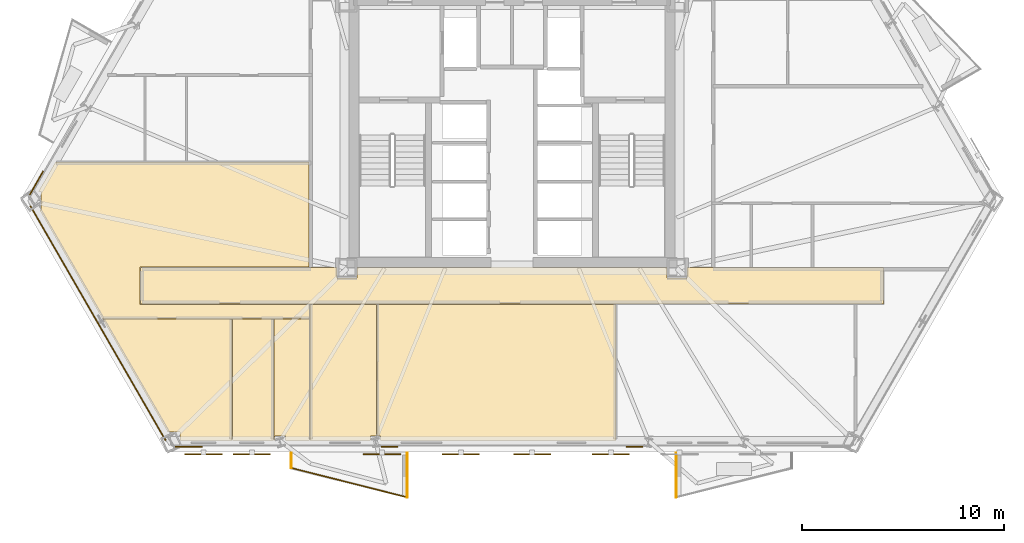
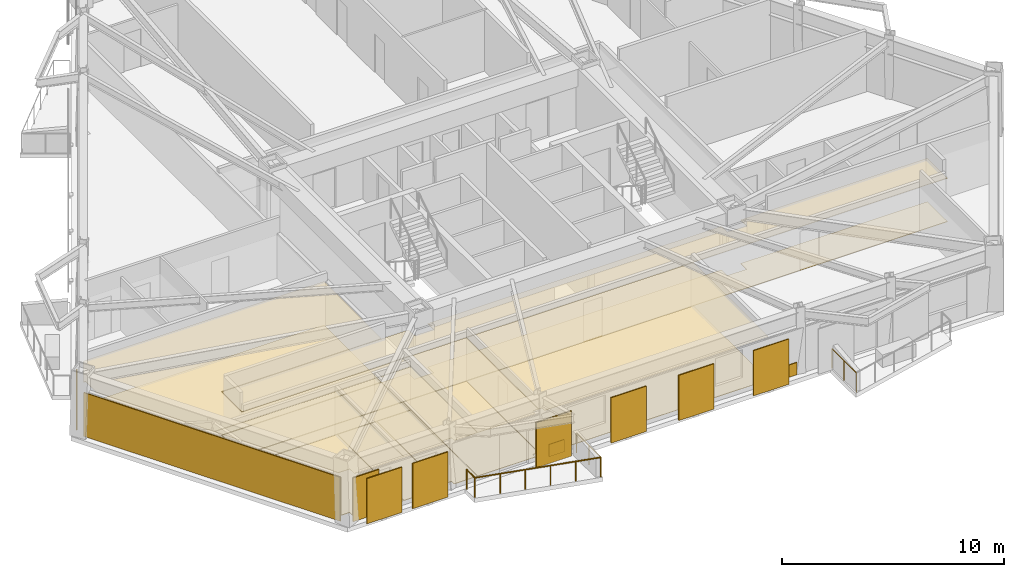
# One storey, part 7 of 10: 19 coverings, 6 shading devices, 4 railings.
"""IFC4 building model written with IfcOpenShell, lengths in metres."""

from ifc_helpers import new_model, si_unit, direction, frame, origin, origin_2d, place, context, subcontext, project, spatial, polyline, rectangle, circle, outline, extrude, material, layer, layer_set, type_object, element, save


model = new_model("IFC4")

# Units and contexts
model_context = context("Model", 3, precision=1e-05, world=origin(), true_north=direction((0.0, 1.0)))
body_context = subcontext(model_context, "Body", "Model", "MODEL_VIEW")
ifc_project = project(units=[si_unit("LENGTHUNIT", "METRE"), si_unit("AREAUNIT", "SQUARE_METRE"), si_unit("VOLUMEUNIT", "CUBIC_METRE"), si_unit("PLANEANGLEUNIT", "RADIAN"), si_unit("MASSUNIT", "GRAM", prefix="KILO")], contexts=[model_context])

# Site, building, storey
site_placement = place(None, origin())
site = spatial("IfcSite", under=ifc_project, at=site_placement, CompositionType="ELEMENT")
building_placement = place(site_placement, origin())
building = spatial("IfcBuilding", under=site, at=building_placement, Name="Oramaril Tower", CompositionType="ELEMENT")
storey_placement = place(building_placement, frame((0.0, 0.0, 63.300048828125)))
storey = spatial("IfcBuildingStorey", under=building, at=storey_placement, Name="L16", CompositionType="ELEMENT", Elevation=63.300048828125)

# Coverings
ifc_material_1 = material(Name="Mineral Fibre Acoustic Ceiling")
ifc_layer_1 = layer(ifc_material_1, 0.02001953125)
ifc_layer_set_1 = layer_set([ifc_layer_1], Name="CVT-CEIL")
covering_type_1 = type_object("IfcCoveringType", Name="CVT-CEIL", PredefinedType="CEILING", material=ifc_layer_set_1)
covering_1_placement = place(storey_placement, frame((0.0, 0.0, 2.39990234375)))
element("IfcCovering", 1, at=covering_1_placement, inside=storey, type_object=covering_type_1, Name="L16 Acoustic Suspended Ceiling 1", PredefinedType="CEILING", context=body_context, shape_type="SweptSolid", body=[
    extrude(outline(polyline([(28.85498046875, 10.5048828125), (29.844970703125, 10.5048828125), (29.844970703125, 11.030029296875), (45.155029296875, 11.030029296875), (45.155029296875, 10.5048828125), (46.14501953125, 10.5048828125), (46.14501953125, 11.030029296875), (55.8798828125, 11.030029296875), (55.8798828125, 9.219970703125), (19.1201171875, 9.219970703125), (19.1201171875, 11.030029296875), (28.85498046875, 11.030029296875), (28.85498046875, 10.5048828125)])), origin(), (0.0, 0.0, 1.0), 0.02001953125),
])
covering_2_placement = place(storey_placement, frame((0.0, 0.0, 2.39990234375)))
element("IfcCovering", 2, at=covering_2_placement, inside=storey, type_object=covering_type_1, Name="L16 Acoustic Suspended Ceiling 5", PredefinedType="CEILING", context=body_context, shape_type="SweptSolid", body=[
    extrude(outline(polyline([(31.001953125, 2.478271484375), (31.001953125, 2.702880859375), (30.819091796875, 2.702880859375), (30.819091796875, 9.199951171875), (42.64208984375, 9.199951171875), (42.64208984375, 2.478271484375), (31.001953125, 2.478271484375)])), origin(), (0.0, 0.0, 1.0), 0.02001953125),
])
covering_3_placement = place(storey_placement, frame((0.0, 0.0, 2.39990234375)))
element("IfcCovering", 3, at=covering_3_placement, inside=storey, type_object=covering_type_1, Name="L16 Acoustic Suspended Ceiling 6", PredefinedType="CEILING", context=body_context, shape_type="SweptSolid", body=[
    extrude(outline(polyline([(27.508056640625, 9.199951171875), (30.799072265625, 9.199951171875), (30.799072265625, 2.702880859375), (30.51025390625, 2.702880859375), (30.51025390625, 2.478271484375), (27.508056640625, 2.478271484375), (27.508056640625, 9.199951171875)])), origin(), (0.0, 0.0, 1.0), 0.02001953125),
])
covering_4_placement = place(storey_placement, frame((0.0, 0.0, 2.39990234375)))
element("IfcCovering", 4, at=covering_4_placement, inside=storey, type_object=covering_type_1, Name="L16 Acoustic Suspended Ceiling 9", PredefinedType="CEILING", context=body_context, shape_type="SweptSolid", body=[
    extrude(outline(polyline([(27.449951171875, 16.241943359375), (27.449951171875, 11.050048828125), (19.1201171875, 11.050048828125), (19.117919921875, 11.0498046875), (19.1162109375, 11.049560546875), (19.1142578125, 11.049072265625), (19.1123046875, 11.048583984375), (19.110595703125, 11.047607421875), (19.10888671875, 11.046630859375), (19.107421875, 11.04541015625), (19.10595703125, 11.044189453125), (19.1044921875, 11.042724609375), (19.103515625, 11.041015625), (19.102294921875, 11.039306640625), (19.1015625, 11.03759765625), (19.100830078125, 11.035888671875), (19.100341796875, 11.033935546875), (19.10009765625, 11.031982421875), (19.10009765625, 11.030029296875), (19.10009765625, 9.219970703125), (19.10009765625, 9.218017578125), (19.100341796875, 9.216064453125), (19.100830078125, 9.214111328125), (19.1015625, 9.21240234375), (19.102294921875, 9.210693359375), (19.103515625, 9.208984375), (19.1044921875, 9.207275390625), (19.10595703125, 9.205810546875), (19.107421875, 9.20458984375), (19.10888671875, 9.203369140625), (19.110595703125, 9.202392578125), (19.1123046875, 9.201416015625), (19.1142578125, 9.200927734375), (19.1162109375, 9.200439453125), (19.117919921875, 9.2001953125), (19.1201171875, 9.199951171875), (27.488037109375, 9.199951171875), (27.488037109375, 8.497314453125), (17.249755859375, 8.497314453125), (14.143798828125, 13.876953125), (14.20751953125, 13.876953125), (14.20751953125, 14.80322265625), (14.093994140625, 14.80322265625), (14.9248046875, 16.241943359375), (27.449951171875, 16.241943359375)])), origin(), (0.0, 0.0, 1.0), 0.02001953125),
])
covering_5_placement = place(storey_placement, frame((0.0, 0.0, 2.39990234375)))
element("IfcCovering", 5, at=covering_5_placement, inside=storey, type_object=covering_type_1, Name="L16 Acoustic Suspended Ceiling 10", PredefinedType="CEILING", context=body_context, shape_type="SweptSolid", body=[
    extrude(outline(polyline([(21.08251953125, 2.478271484375), (21.08251953125, 2.885986328125), (20.489501953125, 2.885986328125), (17.261474609375, 8.477294921875), (23.652099609375, 8.477294921875), (23.652099609375, 2.478271484375), (21.08251953125, 2.478271484375)])), origin(), (0.0, 0.0, 1.0), 0.02001953125),
])
covering_6_placement = place(storey_placement, frame((0.0, 0.0, 2.39990234375)))
element("IfcCovering", 6, at=covering_6_placement, inside=storey, type_object=covering_type_1, Name="L16 Acoustic Suspended Ceiling 11", PredefinedType="CEILING", context=body_context, shape_type="SweptSolid", body=[
    extrude(outline(polyline([(23.672119140625, 2.478271484375), (23.672119140625, 8.477294921875), (25.701904296875, 8.477294921875), (25.701904296875, 2.478271484375), (23.672119140625, 2.478271484375)])), origin(), (0.0, 0.0, 1.0), 0.02001953125),
])
covering_7_placement = place(storey_placement, frame((0.0, 0.0, 2.39990234375)))
element("IfcCovering", 7, at=covering_7_placement, inside=storey, type_object=covering_type_1, Name="L16 Acoustic Suspended Ceiling 12", PredefinedType="CEILING", context=body_context, shape_type="SweptSolid", body=[
    extrude(outline(polyline([(26.28759765625, 2.478271484375), (26.28759765625, 2.702880859375), (25.783447265625, 2.702880859375), (25.783447265625, 2.478271484375), (25.721923828125, 2.478271484375), (25.721923828125, 8.477294921875), (27.488037109375, 8.477294921875), (27.488037109375, 2.478271484375), (26.28759765625, 2.478271484375)])), origin(), (0.0, 0.0, 1.0), 0.02001953125),
])
ifc_material_2 = material(Name="Warm Cream Limestone", Category="masonry")
ifc_layer_2 = layer(ifc_material_2, 0.050048828125)
ifc_layer_set_2 = layer_set([ifc_layer_2], Name="CVT-CLD")
covering_type_2 = type_object("IfcCoveringType", Name="CVT-CLD", PredefinedType="CLADDING", material=ifc_layer_set_2)
covering_8_placement = place(storey_placement, frame((17.027587890625, 8.2802734375, 0.0400390625), z_axis=(0.0, 0.0, 1.0), x_axis=(0.500003022996, -0.86602365845, 0.0)))
element("IfcCovering", 8, at=covering_8_placement, inside=storey, type_object=covering_type_2, Name="L16 Warm Cream Limestone Cladding", PredefinedType="CLADDING", context=body_context, shape_type="SweptSolid", body=[
    extrude(rectangle(XDim=13.371337890625, YDim=0.050048828125, at=origin_2d()), origin(), (0.0, 0.0, 1.0), 2.4140625),
])
covering_9_placement = place(storey_placement, frame((21.5126953125, 2.17724609375, 0.0400390625), z_axis=(0.0, 0.0, 1.0), x_axis=(1.0, 0.0, 0.0)))
element("IfcCovering", 9, at=covering_9_placement, inside=storey, type_object=covering_type_2, Name="L16 Warm Cream Limestone Cladding", PredefinedType="CLADDING", context=body_context, shape_type="SweptSolid", body=[
    extrude(rectangle(XDim=1.35009765625, YDim=0.050048828125, at=origin_2d()), origin(), (0.0, 0.0, 1.0), 2.4140625),
])
for number, where, z_axis, x_axis, name in (
    (10, (31.4384765625, 2.17724609375, 0.0400390625), (0.0, 0.0, 1.0), (1.0, 0.0, 0.0), "L16 Warm Cream Limestone Spandrel Cladding"),
    (11, (43.5615234375, 2.17724609375, 0.0400390625), (0.0, 0.0, 1.0), (1.0, 0.0, 0.0), "L16 Warm Cream Limestone Spandrel Cladding"),
):
    element("IfcCovering", number, at=place(storey_placement, frame(where, z_axis=z_axis, x_axis=x_axis)), inside=storey, type_object=covering_type_2, Name=name, PredefinedType="CLADDING", context=body_context, shape_type="SweptSolid", body=[
        extrude(rectangle(XDim=0.800048828125, YDim=0.050048828125, at=origin_2d()), origin(), (0.0, 0.0, 1.0), 0.679931640625),
    ])
covering_10_placement = place(storey_placement, frame((13.98486328125, 15.2158203125, 0.0400390625), z_axis=(0.0, 0.0, 1.0), x_axis=(-0.4999984885, -0.866026276448, 0.0)))
element("IfcCovering", 12, at=covering_10_placement, inside=storey, type_object=covering_type_2, Name="L16 Warm Cream Limestone Cladding", PredefinedType="CLADDING", context=body_context, shape_type="SweptSolid", body=[
    extrude(rectangle(XDim=1.35009765625, YDim=0.050048828125, at=origin_2d()), origin(), (0.0, 0.0, 1.0), 2.4140625),
])
ifc_material_3 = material(Name="Honed Quartzite Stone Flooring", Category="masonry")
ifc_layer_3 = layer(ifc_material_3, 0.02490234375)
ifc_layer_set_3 = layer_set([ifc_layer_3], Name="CVT-FLR")
covering_type_3 = type_object("IfcCoveringType", Name="CVT-FLR", PredefinedType="FLOORING", material=ifc_layer_set_3)
covering_11_placement = place(storey_placement, origin())
element("IfcCovering", 13, at=covering_11_placement, inside=storey, type_object=covering_type_3, Name="L16 Honed Stone Floor Finish 1", PredefinedType="FLOORING", context=body_context, shape_type="SweptSolid", body=[
    extrude(outline(polyline([(28.85498046875, 10.5048828125), (29.844970703125, 10.5048828125), (29.844970703125, 11.030029296875), (45.155029296875, 11.030029296875), (45.155029296875, 10.5048828125), (46.14501953125, 10.5048828125), (46.14501953125, 11.030029296875), (55.8798828125, 11.030029296875), (55.8798828125, 9.219970703125), (19.1201171875, 9.219970703125), (19.1201171875, 11.030029296875), (28.85498046875, 11.030029296875), (28.85498046875, 10.5048828125)])), origin(), (0.0, 0.0, 1.0), 0.02490234375),
])
covering_12_placement = place(storey_placement, origin())
element("IfcCovering", 14, at=covering_12_placement, inside=storey, type_object=covering_type_3, Name="L16 Honed Stone Floor Finish 5", PredefinedType="FLOORING", context=body_context, shape_type="SweptSolid", body=[
    extrude(outline(polyline([(31.001953125, 2.478271484375), (31.001953125, 2.702880859375), (30.819091796875, 2.702880859375), (30.819091796875, 9.199951171875), (42.64208984375, 9.199951171875), (42.64208984375, 2.478271484375), (31.001953125, 2.478271484375)])), origin(), (0.0, 0.0, 1.0), 0.02490234375),
])
covering_13_placement = place(storey_placement, origin())
element("IfcCovering", 15, at=covering_13_placement, inside=storey, type_object=covering_type_3, Name="L16 Honed Stone Floor Finish 6", PredefinedType="FLOORING", context=body_context, shape_type="SweptSolid", body=[
    extrude(outline(polyline([(27.508056640625, 9.199951171875), (30.799072265625, 9.199951171875), (30.799072265625, 2.702880859375), (30.51025390625, 2.702880859375), (30.51025390625, 2.478271484375), (27.508056640625, 2.478271484375), (27.508056640625, 9.199951171875)])), origin(), (0.0, 0.0, 1.0), 0.02490234375),
])
covering_14_placement = place(storey_placement, origin())
element("IfcCovering", 16, at=covering_14_placement, inside=storey, type_object=covering_type_3, Name="L16 Honed Stone Floor Finish 9", PredefinedType="FLOORING", context=body_context, shape_type="SweptSolid", body=[
    extrude(outline(polyline([(27.449951171875, 16.241943359375), (27.449951171875, 11.050048828125), (19.1201171875, 11.050048828125), (19.117919921875, 11.0498046875), (19.1162109375, 11.049560546875), (19.1142578125, 11.049072265625), (19.1123046875, 11.048583984375), (19.110595703125, 11.047607421875), (19.10888671875, 11.046630859375), (19.107421875, 11.04541015625), (19.10595703125, 11.044189453125), (19.1044921875, 11.042724609375), (19.103515625, 11.041015625), (19.102294921875, 11.039306640625), (19.1015625, 11.03759765625), (19.100830078125, 11.035888671875), (19.100341796875, 11.033935546875), (19.10009765625, 11.031982421875), (19.10009765625, 11.030029296875), (19.10009765625, 9.219970703125), (19.10009765625, 9.218017578125), (19.100341796875, 9.216064453125), (19.100830078125, 9.214111328125), (19.1015625, 9.21240234375), (19.102294921875, 9.210693359375), (19.103515625, 9.208984375), (19.1044921875, 9.207275390625), (19.10595703125, 9.205810546875), (19.107421875, 9.20458984375), (19.10888671875, 9.203369140625), (19.110595703125, 9.202392578125), (19.1123046875, 9.201416015625), (19.1142578125, 9.200927734375), (19.1162109375, 9.200439453125), (19.117919921875, 9.2001953125), (19.1201171875, 9.199951171875), (27.488037109375, 9.199951171875), (27.488037109375, 8.497314453125), (17.249755859375, 8.497314453125), (14.143798828125, 13.876953125), (14.20751953125, 13.876953125), (14.20751953125, 14.80322265625), (14.093994140625, 14.80322265625), (14.9248046875, 16.241943359375), (27.449951171875, 16.241943359375)])), origin(), (0.0, 0.0, 1.0), 0.02490234375),
])
covering_15_placement = place(storey_placement, origin())
element("IfcCovering", 17, at=covering_15_placement, inside=storey, type_object=covering_type_3, Name="L16 Honed Stone Floor Finish 10", PredefinedType="FLOORING", context=body_context, shape_type="SweptSolid", body=[
    extrude(outline(polyline([(21.08251953125, 2.478271484375), (21.08251953125, 2.885986328125), (20.489501953125, 2.885986328125), (17.261474609375, 8.477294921875), (23.652099609375, 8.477294921875), (23.652099609375, 2.478271484375), (21.08251953125, 2.478271484375)])), origin(), (0.0, 0.0, 1.0), 0.02490234375),
])
covering_16_placement = place(storey_placement, origin())
element("IfcCovering", 18, at=covering_16_placement, inside=storey, type_object=covering_type_3, Name="L16 Honed Stone Floor Finish 11", PredefinedType="FLOORING", context=body_context, shape_type="SweptSolid", body=[
    extrude(outline(polyline([(23.672119140625, 2.478271484375), (23.672119140625, 8.477294921875), (25.701904296875, 8.477294921875), (25.701904296875, 2.478271484375), (23.672119140625, 2.478271484375)])), origin(), (0.0, 0.0, 1.0), 0.02490234375),
])
covering_17_placement = place(storey_placement, origin())
element("IfcCovering", 19, at=covering_17_placement, inside=storey, type_object=covering_type_3, Name="L16 Honed Stone Floor Finish 12", PredefinedType="FLOORING", context=body_context, shape_type="SweptSolid", body=[
    extrude(outline(polyline([(26.28759765625, 2.478271484375), (26.28759765625, 2.702880859375), (25.783447265625, 2.702880859375), (25.783447265625, 2.478271484375), (25.721923828125, 2.478271484375), (25.721923828125, 8.477294921875), (27.488037109375, 8.477294921875), (27.488037109375, 2.478271484375), (26.28759765625, 2.478271484375)])), origin(), (0.0, 0.0, 1.0), 0.02490234375),
])

# Railings
ifc_material_4 = material(Name="Stainless Steel 316L", Category="steel")
railing_type = type_object("IfcRailingType", Name="RLT-GRD", PredefinedType="GUARDRAIL", material=ifc_material_4)
railing_1_placement = place(storey_placement, frame((32.31201171875, 1.8623046875, 0.0)))
element("IfcRailing", 20, at=railing_1_placement, inside=storey, type_object=railing_type, Name="L16 Balcony Guardrail L16-BAL-S1.1", PredefinedType="GUARDRAIL", context=body_context, shape_type="SweptSolid", body=[
    extrude(circle(Radius=0.02392578125, at=origin_2d()), frame((0.0, 0.0, 1.076171875), z_axis=(0.0, -1.0, 0.0), x_axis=(1.0, 0.0, 0.0)), (0.0, 0.0, 1.0), 2.19189453125),
    extrude(circle(Radius=0.02099609375, at=origin_2d()), origin(), (0.0, 0.0, 1.0), 1.052001953125),
    extrude(circle(Radius=0.02099609375, at=origin_2d()), frame((0.0, -1.095947265625, 0.0)), (0.0, 0.0, 1.0), 1.052001953125),
    extrude(circle(Radius=0.02099609375, at=origin_2d()), frame((0.0, -2.19189453125, 0.0)), (0.0, 0.0, 1.0), 1.052001953125),
])
railing_2_placement = place(storey_placement, frame((32.31201171875, -0.32958984375, 0.0)))
element("IfcRailing", 21, at=railing_2_placement, inside=storey, type_object=railing_type, Name="L16 Balcony Guardrail L16-BAL-S1.2", PredefinedType="GUARDRAIL", context=body_context, shape_type="SweptSolid", body=[
    extrude(circle(Radius=0.02392578125, at=origin_2d()), frame((0.0, 0.0, 1.076171875), z_axis=(-0.969443611257, 0.245314256807, 0.0), x_axis=(-0.245314256807, -0.969443611257, 0.0)), (0.0, 0.0, 1.0), 5.91064453125),
    extrude(circle(Radius=0.02099609375, at=origin_2d()), origin(), (0.0, 0.0, 1.0), 1.052001953125),
    extrude(circle(Radius=0.02099609375, at=origin_2d()), frame((-1.14599609375, 0.2900390625, 0.0)), (0.0, 0.0, 1.0), 1.052001953125),
    extrude(circle(Radius=0.02099609375, at=origin_2d()), frame((-2.2919921875, 0.580078125, 0.0)), (0.0, 0.0, 1.0), 1.052001953125),
    extrude(circle(Radius=0.02099609375, at=origin_2d()), frame((-3.43798828125, 0.869873046875, 0.0)), (0.0, 0.0, 1.0), 1.052001953125),
    extrude(circle(Radius=0.02099609375, at=origin_2d()), frame((-4.583984375, 1.159912109375, 0.0)), (0.0, 0.0, 1.0), 1.052001953125),
    extrude(circle(Radius=0.02099609375, at=origin_2d()), frame((-5.72998046875, 1.449951171875, 0.0)), (0.0, 0.0, 1.0), 1.052001953125),
])
railing_3_placement = place(storey_placement, frame((26.58203125, 1.120361328125, 0.0)))
element("IfcRailing", 22, at=railing_3_placement, inside=storey, type_object=railing_type, Name="L16 Balcony Guardrail L16-BAL-S1.3", PredefinedType="GUARDRAIL", context=body_context, shape_type="SweptSolid", body=[
    extrude(circle(Radius=0.02392578125, at=origin_2d()), frame((0.0, 0.0, 1.076171875), z_axis=(0.0, 1.0, 0.0), x_axis=(-1.0, 0.0, 0.0)), (0.0, 0.0, 1.0), 0.741943359375),
    extrude(circle(Radius=0.02099609375, at=origin_2d()), origin(), (0.0, 0.0, 1.0), 1.052001953125),
    extrude(circle(Radius=0.02099609375, at=origin_2d()), frame((0.0, 0.741943359375, 0.0)), (0.0, 0.0, 1.0), 1.052001953125),
])
railing_4_placement = place(storey_placement, frame((45.613037109375, -0.32958984375, 0.0)))
element("IfcRailing", 23, at=railing_4_placement, inside=storey, type_object=railing_type, Name="L16 Balcony Guardrail L16-BAL-S2.3", PredefinedType="GUARDRAIL", context=body_context, shape_type="SweptSolid", body=[
    extrude(circle(Radius=0.02392578125, at=origin_2d()), frame((0.0, 0.0, 1.076171875), z_axis=(0.0, 1.0, 0.0), x_axis=(-1.0, 0.0, 0.0)), (0.0, 0.0, 1.0), 2.19189453125),
    extrude(circle(Radius=0.02099609375, at=origin_2d()), origin(), (0.0, 0.0, 1.0), 1.052001953125),
    extrude(circle(Radius=0.02099609375, at=origin_2d()), frame((0.0, 1.095947265625, 0.0)), (0.0, 0.0, 1.0), 1.052001953125),
    extrude(circle(Radius=0.02099609375, at=origin_2d()), frame((0.0, 2.19189453125, 0.0)), (0.0, 0.0, 1.0), 1.052001953125),
])

# Shading devices
for number, where, z_axis, x_axis, name in (
    (24, (31.069580078125, 1.790283203125, -0.02001953125), (0.0, 0.0, 1.0), (1.0, 0.0, 0.0), "L16 Perforated Ceramic Solar Screen"),
    (25, (34.9697265625, 1.790283203125, -0.02001953125), (0.0, 0.0, 1.0), (1.0, 0.0, 0.0), "L16 Perforated Ceramic Solar Screen"),
    (26, (38.4912109375, 1.790283203125, -0.02001953125), (0.0, 0.0, 1.0), (1.0, 0.0, 0.0), "L16 Perforated Ceramic Solar Screen"),
    (27, (42.391357421875, 1.790283203125, -0.02001953125), (0.0, 0.0, 1.0), (1.0, 0.0, 0.0), "L16 Perforated Ceramic Solar Screen"),
    (28, (22.242431640625, 1.790283203125, -0.02001953125), (0.0, 0.0, 1.0), (1.0, 0.0, 0.0), "L16 Perforated Ceramic Solar Screen"),
    (29, (24.635009765625, 1.790283203125, -0.02001953125), (0.0, 0.0, 1.0), (1.0, 0.0, 0.0), "L16 Perforated Ceramic Solar Screen"),
):
    element("IfcShadingDevice", number, at=place(storey_placement, frame(where, z_axis=z_axis, x_axis=x_axis)), inside=storey, Name=name, ObjectType="SCREEN", PredefinedType="USERDEFINED", context=body_context, shape_type="SweptSolid", body=[
        extrude(rectangle(XDim=1.8330078125, YDim=0.050048828125, at=origin_2d()), origin(), (0.0, 0.0, 1.0), 2.493896484375),
    ])

save(model, "model.ifc")
